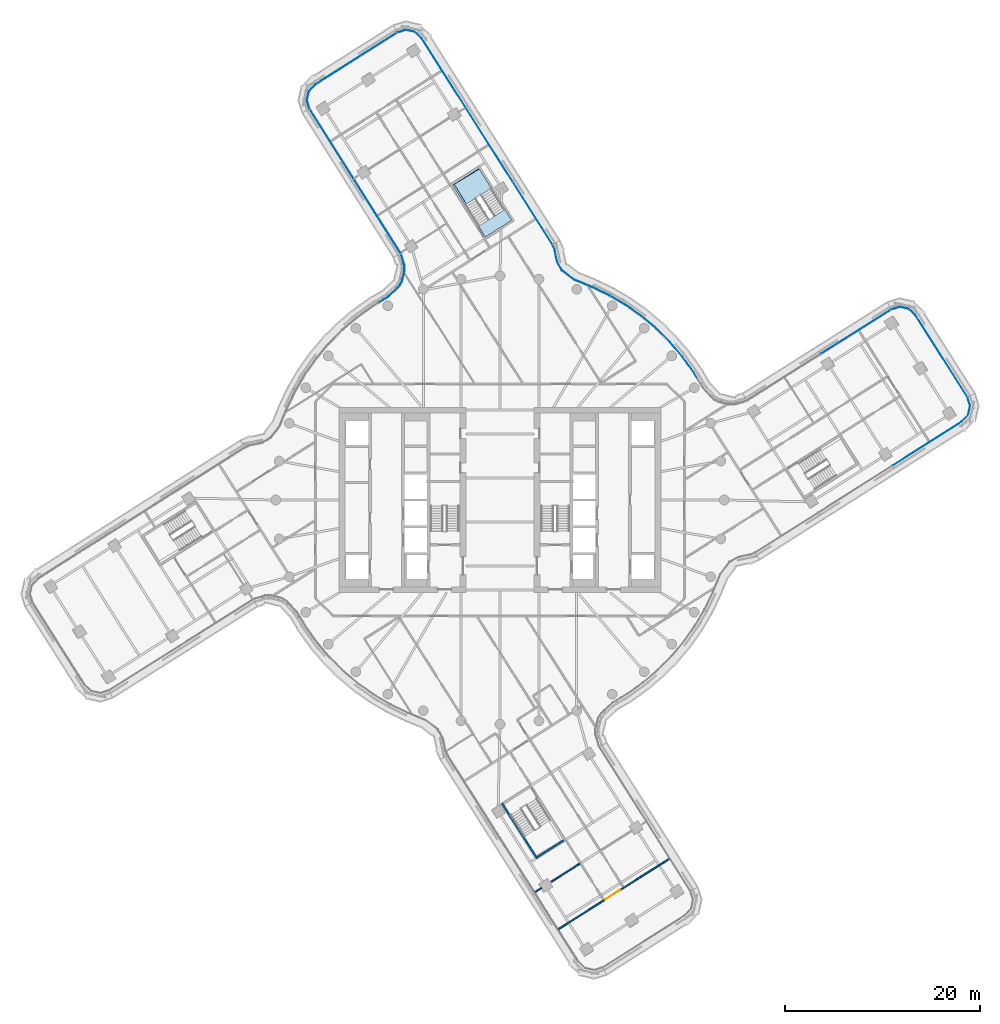
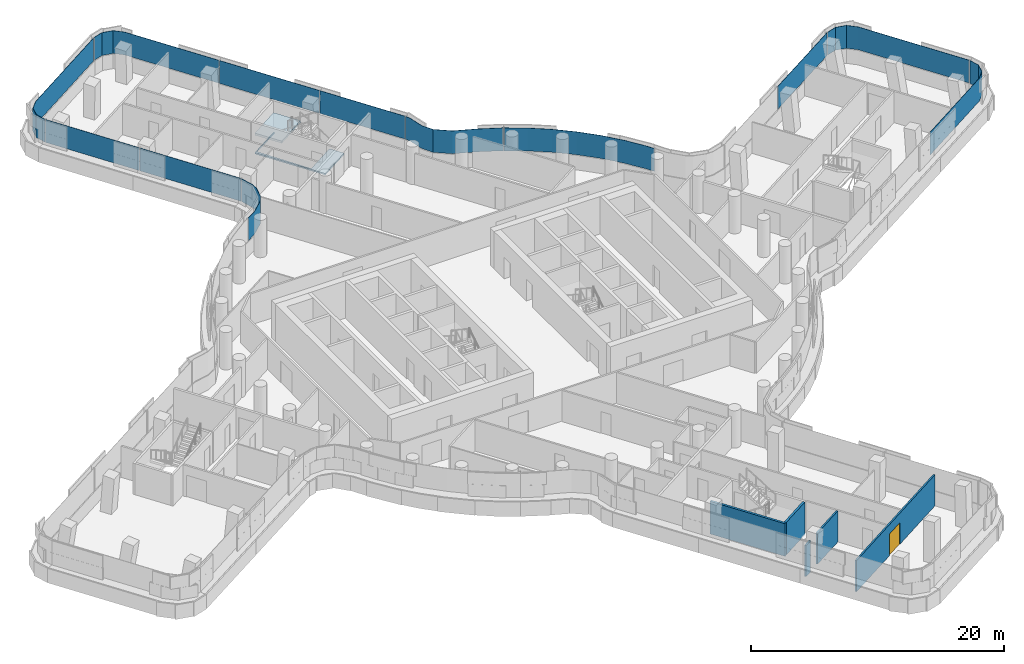
# One storey, part 22 of 36: 12 plates, 5 walls, 2 slabs, 1 door, 1 opening, 9 elements without a shape of their own.
"""IFC4 building model written with IfcOpenShell, lengths in metres."""

from ifc_helpers import new_model, si_unit, direction, frame, frame_2d, origin, place, context, subcontext, project, spatial, polyline, rectangle, outline, extrude, material, layer, layer_set, type_object, element, fill, aggregate, save


model = new_model("IFC4")

# Units and contexts
model_context = context("Model", 3, precision=1e-05, world=origin(), true_north=direction((0.0, 1.0)))
body_context = subcontext(model_context, "Body", "Model", "MODEL_VIEW")
ifc_project = project(units=[si_unit("LENGTHUNIT", "METRE"), si_unit("AREAUNIT", "SQUARE_METRE"), si_unit("VOLUMEUNIT", "CUBIC_METRE"), si_unit("PLANEANGLEUNIT", "RADIAN"), si_unit("MASSUNIT", "GRAM", prefix="KILO")], contexts=[model_context])

# Site, building, storey
site_placement = place(None, origin())
site = spatial("IfcSite", under=ifc_project, at=site_placement, CompositionType="ELEMENT")
building_placement = place(site_placement, origin())
building = spatial("IfcBuilding", under=site, at=building_placement, Name="Tamarind Cross Interchange Tower", CompositionType="ELEMENT")
storey_placement = place(building_placement, frame((0.0, 0.0, 151.75)))
storey = spatial("IfcBuildingStorey", under=building, at=storey_placement, Name="L37", CompositionType="ELEMENT", Elevation=151.75)

# Slab
ifc_material_1 = material(Name="Concrete C35", Category="concrete")
ifc_layer_1 = layer(ifc_material_1, 0.139892578125)
ifc_layer_set_1 = layer_set([ifc_layer_1], Name="Concrete C35")
slab_type_1 = type_object("IfcSlabType", Name="Composite slab 140 Concrete C35", PredefinedType="FLOOR", material=ifc_layer_set_1)
slab_1_placement = place(storey_placement, frame((0.0, 0.0, -0.139892578125)))
element("IfcSlab", 1, at=slab_1_placement, inside=storey, type_object=slab_type_1, Name="Floor slab L37", PredefinedType="FLOOR", context=body_context, shape_type="SweptSolid", body=[
    extrude(outline(polyline([(-4.682373046875, 32.379150390625), (-2.124755859375, 33.93701171875), (-2.168701171875, 34.006103515625), (-4.870849609375, 32.2919921875), (-1.49609375, 26.97216796875), (1.2060546875, 28.686279296875), (0.547607421875, 29.72412109375), (0.50341796875, 29.794189453125), (-2.1015625, 28.141845703125), (-4.682373046875, 32.379150390625)])), origin(), (0.0, 0.0, 1.0), 0.139892578125),
])

# Stair, slab
ifc_material_2 = material(Name="Exit stair")
stair_type = type_object("IfcStairType", Name="Exit stair", PredefinedType="HALF_TURN_STAIR", material=ifc_material_2)
stair_placement = place(storey_placement, origin())
stair = element("IfcStair", 2, at=stair_placement, inside=storey, type_object=stair_type, Name="L37 exit stair ST4", PredefinedType="HALF_TURN_STAIR")
ifc_material_3 = material(Name="Concrete C40", Category="concrete")
ifc_layer_2 = layer(ifc_material_3, 0.199951171875)
ifc_layer_set_2 = layer_set([ifc_layer_2], Name="Concrete C40")
slab_type_2 = type_object("IfcSlabType", Name="Stair landing", PredefinedType="LANDING", material=ifc_layer_set_2)
slab_2_placement = place(storey_placement, frame((0.0, 0.0, 1.675048828125)))
slab_2 = element("IfcSlab", 3, at=slab_2_placement, type_object=slab_type_2, Name="ST4 landing 1", PredefinedType="LANDING", context=body_context, shape_type="SweptSolid", body=[
    extrude(outline(polyline([(-0.87646484375, 31.969482421875), (-2.168701171875, 34.006103515625), (-4.870849609375, 32.2919921875), (-3.578857421875, 30.255126953125), (-0.87646484375, 31.969482421875)])), origin(), (0.0, 0.0, 1.0), 0.199951171875),
])
aggregate(stair, [slab_2])

# Curtain wall, plate
ifc_material_4 = material(Name="Aluminium 6063-T6", Category="aluminium")
ifc_layer_3 = layer(ifc_material_4, 0.159912109375)
ifc_layer_set_3 = layer_set([ifc_layer_3], Name="Aluminium 6063-T6")
curtain_wall_type = type_object("IfcCurtainWallType", Name="Office curtain wall, 9.0 m bays", PredefinedType="NOTDEFINED", material=ifc_layer_set_3)
curtain_wall_1_placement = place(storey_placement, origin())
curtain_wall_1 = element("IfcCurtainWall", 4, at=curtain_wall_1_placement, inside=storey, type_object=curtain_wall_type, Name="CWS-L37-00", PredefinedType="NOTDEFINED")
ifc_material_5 = material(Name="Laminated low-e glass 8+1.52+8", Category="glass")
ifc_layer_4 = layer(ifc_material_5, 0.028076171875)
ifc_layer_set_4 = layer_set([ifc_layer_4], Name="Laminated low-e glass 8+1.52+8")
plate_type = type_object("IfcPlateType", Name="Vision panel CW1", PredefinedType="CURTAIN_PANEL", material=ifc_layer_set_4)
plate_1_placement = place(storey_placement, frame((0.0, 0.0, 1.39990234375)))
plate_1 = element("IfcPlate", 5, at=plate_1_placement, type_object=plate_type, Name="CWP-L37-00-00", PredefinedType="CURTAIN_PANEL", context=body_context, shape_type="SweptSolid", body=[
    extrude(outline(polyline([(-10.58056640625, 47.90869140625), (-18.95361328125, 42.597412109375), (-19.5966796875, 41.898193359375), (-19.797607421875, 41.0), (-19.52197265625, 40.1201171875), (-19.548828125, 40.11181640625), (-19.826416015625, 40.998779296875), (-19.622314453125, 41.91162109375), (-18.9716796875, 42.618896484375), (-10.595703125, 47.932373046875), (-10.58056640625, 47.90869140625)])), origin(), (0.0, 0.0, 1.0), 2.210205078125),
])
aggregate(curtain_wall_1, [plate_1])

# Curtain wall, plates
curtain_wall_2_placement = place(storey_placement, origin())
curtain_wall_2 = element("IfcCurtainWall", 6, at=curtain_wall_2_placement, inside=storey, type_object=curtain_wall_type, Name="CWS-L37-01", PredefinedType="NOTDEFINED")
plate_2_placement = place(storey_placement, frame((0.0, 0.0, 1.39990234375)))
plate_2 = element("IfcPlate", 7, at=plate_2_placement, type_object=plate_type, Name="CWP-L37-01-00", PredefinedType="CURTAIN_PANEL", context=body_context, shape_type="SweptSolid", body=[
    extrude(outline(polyline([(-19.49853515625, 40.069580078125), (-15.013916015625, 32.966552734375), (-15.03759765625, 32.95166015625), (-19.522216796875, 40.0546875), (-19.49853515625, 40.069580078125)])), origin(), (0.0, 0.0, 1.0), 2.210205078125),
])
plate_3_placement = place(storey_placement, frame((0.0, 0.0, 1.39990234375)))
plate_3 = element("IfcPlate", 8, at=plate_3_placement, type_object=plate_type, Name="CWP-L37-01-01", PredefinedType="CURTAIN_PANEL", context=body_context, shape_type="SweptSolid", body=[
    extrude(outline(polyline([(-14.98193359375, 32.915771484375), (-10.1708984375, 25.296142578125), (-10.194580078125, 25.28125), (-15.005615234375, 32.90087890625), (-14.98193359375, 32.915771484375)])), origin(), (0.0, 0.0, 1.0), 2.210205078125),
])
aggregate(curtain_wall_2, [plate_2, plate_3])

# Curtain wall, plate
curtain_wall_3_placement = place(storey_placement, origin())
curtain_wall_3 = element("IfcCurtainWall", 9, at=curtain_wall_3_placement, inside=storey, type_object=curtain_wall_type, Name="CWS-L37-02", PredefinedType="NOTDEFINED")
plate_4_placement = place(storey_placement, frame((0.0, 0.0, 1.39990234375)))
plate_4 = element("IfcPlate", 10, at=plate_4_placement, type_object=plate_type, Name="CWP-L37-02-00", PredefinedType="CURTAIN_PANEL", context=body_context, shape_type="SweptSolid", body=[
    extrude(outline(polyline([(-10.14453125, 25.238525390625), (-9.789306640625, 24.056396484375), (-9.7783203125, 23.4677734375), (-10.062744140625, 22.375732421875), (-10.360595703125, 21.864990234375), (-11.52001953125, 20.80029296875), (-12.433837890625, 20.25), (-12.4482421875, 20.274169921875), (-11.536865234375, 20.822998046875), (-10.3828125, 21.8828125), (-10.0888671875, 22.38671875), (-9.806396484375, 23.47119140625), (-9.817138671875, 24.052001953125), (-10.17138671875, 25.23046875), (-10.14453125, 25.238525390625)])), origin(), (0.0, 0.0, 1.0), 2.210205078125),
])
aggregate(curtain_wall_3, [plate_4])

curtain_wall_4_placement = place(storey_placement, origin())
curtain_wall_4 = element("IfcCurtainWall", 11, at=curtain_wall_4_placement, inside=storey, type_object=curtain_wall_type, Name="CWS-L37-11", PredefinedType="NOTDEFINED")
plate_5_placement = place(storey_placement, frame((0.0, 0.0, 1.39990234375)))
plate_5 = element("IfcPlate", 12, at=plate_5_placement, type_object=plate_type, Name="CWP-L37-11-02", PredefinedType="CURTAIN_PANEL", context=body_context, shape_type="SweptSolid", body=[
    extrude(outline(polyline([(40.258056640625, 3.545654296875), (47.363525390625, 8.052978515625), (48.006591796875, 8.752197265625), (48.20751953125, 9.650390625), (47.93212890625, 10.530029296875), (47.958984375, 10.538330078125), (48.236572265625, 9.651611328125), (48.0322265625, 8.738525390625), (47.381591796875, 8.031494140625), (40.27294921875, 3.52197265625), (40.258056640625, 3.545654296875)])), origin(), (0.0, 0.0, 1.0), 2.210205078125),
])
aggregate(curtain_wall_4, [plate_5])

curtain_wall_5_placement = place(storey_placement, origin())
curtain_wall_5 = element("IfcCurtainWall", 13, at=curtain_wall_5_placement, inside=storey, type_object=curtain_wall_type, Name="CWS-L37-12", PredefinedType="NOTDEFINED")
plate_6_placement = place(storey_placement, frame((0.0, 0.0, 1.39990234375)))
plate_6 = element("IfcPlate", 14, at=plate_6_placement, type_object=plate_type, Name="CWP-L37-12-00", PredefinedType="CURTAIN_PANEL", context=body_context, shape_type="SweptSolid", body=[
    extrude(outline(polyline([(47.90869140625, 10.58056640625), (42.597412109375, 18.95361328125), (41.898193359375, 19.5966796875), (41.0, 19.797607421875), (40.1201171875, 19.52197265625), (40.11181640625, 19.548828125), (40.998779296875, 19.826416015625), (41.91162109375, 19.622314453125), (42.618896484375, 18.9716796875), (47.932373046875, 10.595703125), (47.90869140625, 10.58056640625)])), origin(), (0.0, 0.0, 1.0), 2.210205078125),
])
aggregate(curtain_wall_5, [plate_6])

curtain_wall_6_placement = place(storey_placement, origin())
curtain_wall_6 = element("IfcCurtainWall", 15, at=curtain_wall_6_placement, inside=storey, type_object=curtain_wall_type, Name="CWS-L37-13", PredefinedType="NOTDEFINED")
plate_7_placement = place(storey_placement, frame((0.0, 0.0, 1.39990234375)))
plate_7 = element("IfcPlate", 16, at=plate_7_placement, type_object=plate_type, Name="CWP-L37-13-00", PredefinedType="CURTAIN_PANEL", context=body_context, shape_type="SweptSolid", body=[
    extrude(outline(polyline([(40.069580078125, 19.49853515625), (32.966552734375, 15.013916015625), (32.95166015625, 15.03759765625), (40.0546875, 19.522216796875), (40.069580078125, 19.49853515625)])), origin(), (0.0, 0.0, 1.0), 2.210205078125),
])
aggregate(curtain_wall_6, [plate_7])

# Curtain wall, plates
curtain_wall_7_placement = place(storey_placement, origin())
curtain_wall_7 = element("IfcCurtainWall", 17, at=curtain_wall_7_placement, inside=storey, type_object=curtain_wall_type, Name="CWS-L37-14", PredefinedType="NOTDEFINED")
plate_8_placement = place(storey_placement, frame((0.0, 0.0, 1.39990234375)))
plate_8 = element("IfcPlate", 18, at=plate_8_placement, type_object=plate_type, Name="CWP-L37-14-01", PredefinedType="CURTAIN_PANEL", context=body_context, shape_type="SweptSolid", body=[
    extrude(outline(polyline([(20.21923828125, 12.485107421875), (19.853271484375, 13.093017578125), (18.7041015625, 14.687744140625), (17.42724609375, 16.18212890625), (16.031494140625, 17.56591796875), (14.526123046875, 18.829833984375), (12.921630859375, 19.965087890625), (11.337646484375, 20.899658203125), (11.351806640625, 20.923828125), (12.936767578125, 19.988525390625), (14.543212890625, 18.85205078125), (16.05029296875, 17.586669921875), (17.44775390625, 16.201171875), (18.72607421875, 14.705078125), (19.87646484375, 13.1083984375), (20.2431640625, 12.499755859375), (20.21923828125, 12.485107421875)])), origin(), (0.0, 0.0, 1.0), 2.210205078125),
])
plate_9_placement = place(storey_placement, frame((0.0, 0.0, 1.39990234375)))
plate_9 = element("IfcPlate", 19, at=plate_9_placement, type_object=plate_type, Name="CWP-L37-14-02", PredefinedType="CURTAIN_PANEL", context=body_context, shape_type="SweptSolid", body=[
    extrude(outline(polyline([(11.285888671875, 20.93017578125), (11.228759765625, 20.9638671875), (9.45703125, 21.820556640625), (7.603271484375, 22.581298828125), (6.35498046875, 23.53125), (5.8505859375, 24.43310546875), (5.71533203125, 25.058837890625), (5.5732421875, 25.764892578125), (5.38232421875, 26.17626953125), (5.407958984375, 26.18798828125), (5.60009765625, 25.773681640625), (5.74267578125, 25.064697265625), (5.877197265625, 24.443115234375), (6.376708984375, 23.550048828125), (7.6171875, 22.605712890625), (9.468505859375, 21.84619140625), (11.241943359375, 20.98876953125), (11.300048828125, 20.954345703125), (11.285888671875, 20.93017578125)])), origin(), (0.0, 0.0, 1.0), 2.210205078125),
])
aggregate(curtain_wall_7, [plate_8, plate_9])

curtain_wall_8_placement = place(storey_placement, origin())
curtain_wall_8 = element("IfcCurtainWall", 20, at=curtain_wall_8_placement, inside=storey, type_object=curtain_wall_type, Name="CWS-L37-15", PredefinedType="NOTDEFINED")
plate_10_placement = place(storey_placement, frame((0.0, 0.0, 1.39990234375)))
plate_10 = element("IfcPlate", 21, at=plate_10_placement, type_object=plate_type, Name="CWP-L37-15-00", PredefinedType="CURTAIN_PANEL", context=body_context, shape_type="SweptSolid", body=[
    extrude(outline(polyline([(5.354736328125, 26.227294921875), (1.2998046875, 32.619384765625), (1.323486328125, 32.63427734375), (5.378173828125, 26.2421875), (5.354736328125, 26.227294921875)])), origin(), (0.0, 0.0, 1.0), 2.210205078125),
])
plate_11_placement = place(storey_placement, frame((0.0, 0.0, 1.39990234375)))
plate_11 = element("IfcPlate", 22, at=plate_11_placement, type_object=plate_type, Name="CWP-L37-15-01", PredefinedType="CURTAIN_PANEL", context=body_context, shape_type="SweptSolid", body=[
    extrude(outline(polyline([(1.267578125, 32.669921875), (-3.513671875, 40.207275390625), (-3.489990234375, 40.222412109375), (1.291259765625, 32.68505859375), (1.267578125, 32.669921875)])), origin(), (0.0, 0.0, 1.0), 2.210205078125),
])
plate_12_placement = place(storey_placement, frame((0.0, 0.0, 1.39990234375)))
plate_12 = element("IfcPlate", 23, at=plate_12_placement, type_object=plate_type, Name="CWP-L37-15-02", PredefinedType="CURTAIN_PANEL", context=body_context, shape_type="SweptSolid", body=[
    extrude(outline(polyline([(-3.545654296875, 40.258056640625), (-8.052978515625, 47.363525390625), (-8.752197265625, 48.006591796875), (-9.650390625, 48.20751953125), (-10.530029296875, 47.93212890625), (-10.538330078125, 47.958984375), (-9.651611328125, 48.236572265625), (-8.738525390625, 48.0322265625), (-8.031494140625, 47.381591796875), (-3.52197265625, 40.27294921875), (-3.545654296875, 40.258056640625)])), origin(), (0.0, 0.0, 1.0), 2.210205078125),
])
aggregate(curtain_wall_8, [plate_10, plate_11, plate_12])

# Walls
ifc_material_6 = material(Name="Gypsum board partition on steel studs", Category="steel")
ifc_layer_5 = layer(ifc_material_6, 0.14990234375)
ifc_layer_set_5 = layer_set([ifc_layer_5], Name="Gypsum board partition on steel studs")
wall_type_1 = type_object("IfcWallType", Name="Partition 150 mm EI 120", PredefinedType="PARTITIONING", material=ifc_layer_set_5)
wall_1_placement = place(storey_placement, frame((3.610107421875, -40.197265625, 0.0), z_axis=(0.0, 0.0, 1.0), x_axis=(0.844419413163, 0.535682606283, 0.0)))
element("IfcWall", 24, at=wall_1_placement, inside=storey, type_object=wall_type_1, Name="Partition L37-063", PredefinedType="PARTITIONING", context=body_context, shape_type="SweptSolid", body=[
    extrude(rectangle(XDim=0.755126953125, YDim=0.14990234375, at=frame_2d((0.37744140625, 0.0))), origin(), (0.0, 0.0, 1.0), 3.010009765625),
])
wall_2_placement = place(storey_placement, frame((5.2568359375, -39.152587890625, 0.0), z_axis=(0.0, 0.0, 1.0), x_axis=(0.84438513009, 0.535736644335, 0.0)))
element("IfcWall", 25, at=wall_2_placement, inside=storey, type_object=wall_type_1, Name="Partition L37-064", PredefinedType="PARTITIONING", context=body_context, shape_type="SweptSolid", body=[
    extrude(rectangle(XDim=3.46923828125, YDim=0.14990234375, at=frame_2d((1.734619140625, 0.0))), origin(), (0.0, 0.0, 1.0), 3.010009765625),
])

# Wall, opening, door
wall_3_placement = place(storey_placement, frame((6.020751953125, -43.99755859375, 0.0), z_axis=(0.0, 0.0, 1.0), x_axis=(0.844399282855, 0.53571433723, 0.0)))
wall_3 = element("IfcWall", 26, at=wall_3_placement, inside=storey, type_object=wall_type_1, Name="Partition L37-067", PredefinedType="PARTITIONING", context=body_context, shape_type="SweptSolid", body=[
    extrude(rectangle(XDim=13.40673828125, YDim=0.14990234375, at=frame_2d((6.703369140625, 0.0))), origin(), (0.0, 0.0, 1.0), 3.010009765625),
])
opening_placement = place(wall_3_placement, frame((5.649169921875, 0.0, 0.0)))
opening = element("IfcOpeningElement", 27, at=opening_placement, cuts=wall_3, Name="Opening D37", PredefinedType="OPENING", context=body_context, shape_type="SweptSolid", body=[
    extrude(rectangle(XDim=1.800048828125, YDim=2.10009765625, at=frame_2d((0.89990234375, 1.050048828125))), frame((0.0, 0.0849609375, 0.0), z_axis=(0.0, -1.0, 0.0), x_axis=(1.0, 0.0, 0.0)), (0.0, 0.0, 1.0), 0.169921875),
])
ifc_material_7 = material(Name="Fire-resisting door set")
door_type = type_object("IfcDoorType", Name="Interior door 1800 x 2100 FD60S", OperationType="DOUBLE_DOOR_SINGLE_SWING", PredefinedType="DOOR", material=ifc_material_7)
door_placement = place(opening_placement, frame((1.800048828125, 0.0, 0.0), z_axis=(0.0, 0.0, 1.0), x_axis=(-1.0, 0.0, 0.0)))
door = element("IfcDoor", 28, at=door_placement, inside=storey, type_object=door_type, Name="Door D37", OperationType="DOUBLE_DOOR_SINGLE_SWING", OverallHeight=2.10009765625, OverallWidth=1.800048828125, PredefinedType="DOOR", context=body_context, shape_type="SweptSolid", body=[
    extrude(rectangle(XDim=1.800048828125, YDim=2.10009765625, at=frame_2d((0.89990234375, 1.050048828125))), frame((0.0, 0.02490234375, 0.0), z_axis=(0.0, -1.0, 0.0), x_axis=(1.0, 0.0, 0.0)), (0.0, 0.0, 1.0), 0.050048828125),
])
fill(opening, door)

# Walls
ifc_layer_6 = layer(ifc_material_3, 0.199951171875)
ifc_layer_set_6 = layer_set([ifc_layer_6], Name="Concrete C40")
wall_type_2 = type_object("IfcWallType", Name="Stair shaft wall 200 mm Concrete C40", PredefinedType="SHEAR", material=ifc_layer_set_6)
wall_4_placement = place(storey_placement, frame((0.209228515625, -31.104248046875, -0.139892578125), z_axis=(0.0, 0.0, 1.0), x_axis=(0.535679562432, -0.844421344112, 0.0)))
element("IfcWall", 29, at=wall_4_placement, inside=storey, type_object=wall_type_2, Name="Core wall CWL-L37-ST6-C", PredefinedType="SHEAR", context=body_context, shape_type="SweptSolid", body=[
    extrude(rectangle(XDim=6.7001953125, YDim=0.199951171875, at=frame_2d((3.35009765625, 0.0))), origin(), (0.0, 0.0, 1.0), 3.14990234375),
])
wall_5_placement = place(storey_placement, frame((0.0, 0.0, -0.139892578125)))
element("IfcWall", 30, at=wall_5_placement, inside=storey, type_object=wall_type_2, Name="Core wall CWL-L37-ST6-CF", PredefinedType="SHEAR", context=body_context, shape_type="SweptSolid", body=[
    extrude(outline(polyline([(3.775634765625, -36.539306640625), (3.8828125, -36.708251953125), (6.5849609375, -34.994140625), (6.477783203125, -34.8251953125), (3.775634765625, -36.539306640625)])), origin(), (0.0, 0.0, 1.0), 3.14990234375),
])

save(model, "model.ifc")
